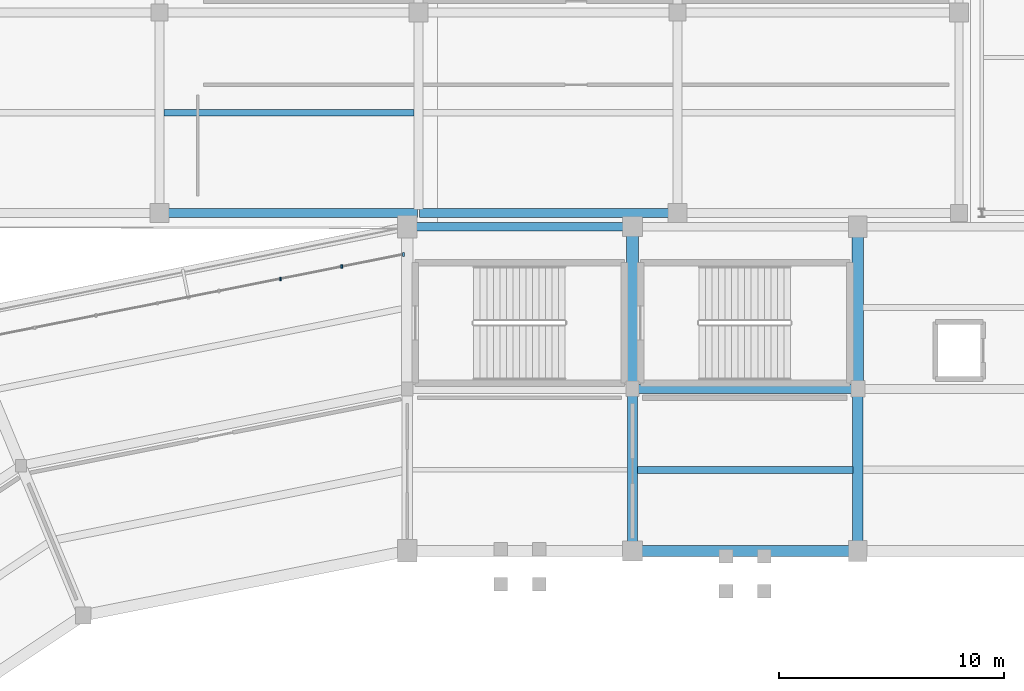
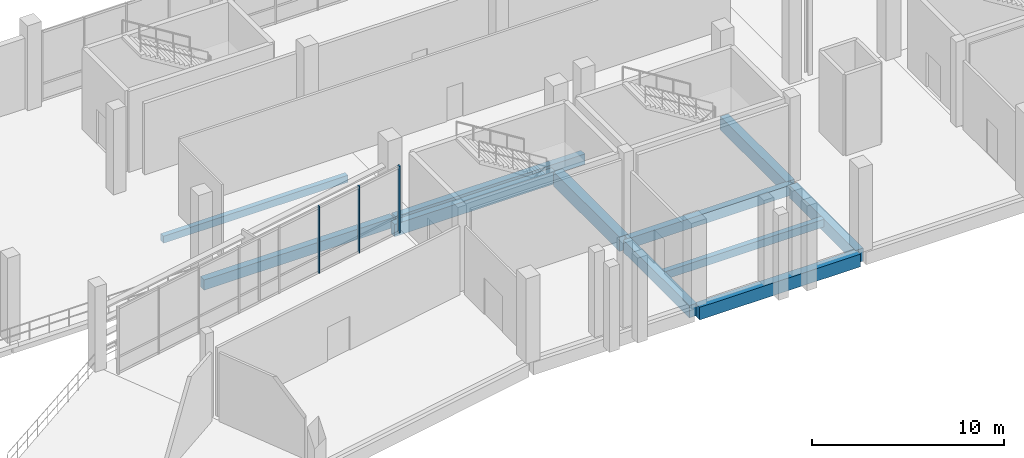
# One storey, part 51 of 114: 11 beams, 3 members, 1 element without a shape of its own.
"""IFC4 building model written with IfcOpenShell, lengths in metres."""

from ifc_helpers import new_model, si_unit, direction, frame, origin, origin_2d, place, context, subcontext, project, spatial, rectangle, extrude, material, material_profile, profile_set, type_object, element, aggregate, save


model = new_model("IFC4")

# Units and contexts
model_context = context("Model", 3, precision=1e-05, world=origin(), true_north=direction((0.0, 1.0)))
body_context = subcontext(model_context, "Body", "Model", "MODEL_VIEW")
ifc_project = project(units=[si_unit("LENGTHUNIT", "METRE"), si_unit("AREAUNIT", "SQUARE_METRE"), si_unit("VOLUMEUNIT", "CUBIC_METRE"), si_unit("PLANEANGLEUNIT", "RADIAN"), si_unit("MASSUNIT", "GRAM", prefix="KILO")], contexts=[model_context])

# Site, building, storey
site_placement = place(None, origin())
site = spatial("IfcSite", under=ifc_project, at=site_placement, CompositionType="ELEMENT")
building_placement = place(site_placement, origin())
building = spatial("IfcBuilding", under=site, at=building_placement, Name="Candeia Ridge Stadium", CompositionType="ELEMENT")
storey_placement = place(building_placement, frame((0.0, 0.0, 5.39990234375)))
storey = spatial("IfcBuildingStorey", under=building, at=storey_placement, Name="L01", CompositionType="ELEMENT", Elevation=5.39990234375)

# Curtain wall, members
ifc_material_1 = material(Name="Aluminium Anodized Warm Bronze", Category="aluminium")
curtain_wall_type = type_object("IfcCurtainWallType", Name="Concourse Recessed Unitised Curtain Wall", PredefinedType="NOTDEFINED", material=ifc_material_1)
curtain_wall_placement = place(storey_placement, origin())
curtain_wall = element("IfcCurtainWall", 1, at=curtain_wall_placement, inside=storey, type_object=curtain_wall_type, Name="Unitised curtain wall CW-BWL-L01-07", PredefinedType="NOTDEFINED")
ifc_material_profile_1 = material_profile(ifc_material_1, rectangle(XDim=0.090087890625, YDim=0.179931640625, at=origin_2d()), Name="CWM-90x180", Category="aluminium")
ifc_profile_set_1 = profile_set([ifc_material_profile_1], Name="Aluminium Anodized Warm Bronze")
member_type_1 = type_object("IfcMemberType", Name="Curtain Wall Primary Mullion 90x180", PredefinedType="MULLION", material=ifc_profile_set_1)
member_1_placement = place(storey_placement, frame((70.823486328125, 145.764892578125, 0.0), z_axis=(0.0, 0.0, 1.0), x_axis=(1.0, 0.0, 0.0)))
member_1 = element("IfcMember", 2, at=member_1_placement, type_object=member_type_1, Name="Curtain wall mullion CW-BWL-L01-07-M0", PredefinedType="MULLION", context=body_context, shape_type="SweptSolid", body=[
    extrude(rectangle(XDim=0.090087890625, YDim=0.179931640625, at=origin_2d()), origin(), (0.0, 0.0, 1.0), 4.2451171875),
])
ifc_material_profile_2 = material_profile(ifc_material_1, rectangle(XDim=0.074951171875, YDim=0.14990234375, at=origin_2d()), Name="CWM-75x150", Category="aluminium")
ifc_profile_set_2 = profile_set([ifc_material_profile_2], Name="Aluminium Anodized Warm Bronze")
member_type_2 = type_object("IfcMemberType", Name="Curtain Wall Secondary Mullion 75x150", PredefinedType="MULLION", material=ifc_profile_set_2)
member_2_placement = place(storey_placement, frame((68.0966796875, 145.222412109375, 0.0), z_axis=(0.0, 0.0, 1.0), x_axis=(1.0, 0.0, 0.0)))
member_2 = element("IfcMember", 3, at=member_2_placement, type_object=member_type_2, Name="Curtain wall mullion CW-BWL-L01-07-M1", PredefinedType="MULLION", context=body_context, shape_type="SweptSolid", body=[
    extrude(rectangle(XDim=0.074951171875, YDim=0.14990234375, at=origin_2d()), origin(), (0.0, 0.0, 1.0), 4.2451171875),
])
member_3_placement = place(storey_placement, frame((65.3701171875, 144.68017578125, 0.0), z_axis=(0.0, 0.0, 1.0), x_axis=(1.0, 0.0, 0.0)))
member_3 = element("IfcMember", 4, at=member_3_placement, type_object=member_type_2, Name="Curtain wall mullion CW-BWL-L01-07-M2", PredefinedType="MULLION", context=body_context, shape_type="SweptSolid", body=[
    extrude(rectangle(XDim=0.074951171875, YDim=0.14990234375, at=origin_2d()), origin(), (0.0, 0.0, 1.0), 4.2451171875),
])
aggregate(curtain_wall, [member_1, member_2, member_3])

# Beams
ifc_material_2 = material(Name="Concrete C40/50", Category="concrete")
ifc_material_profile_3 = material_profile(ifc_material_2, rectangle(XDim=0.300048828125, YDim=0.449951171875, at=origin_2d()), Name="RC300x450", Category="concrete")
ifc_profile_set_3 = profile_set([ifc_material_profile_3], Name="Concrete C40/50")
beam_type_1 = type_object("IfcBeamType", Name="Floor Joist RC300x450", PredefinedType="JOIST", material=ifc_profile_set_3)
beam_1_placement = place(storey_placement, frame((60.199462890625, 152.050048828125, -0.48486328125), z_axis=(1.0, 0.0, 0.0), x_axis=(0.0, 1.0, 0.0)))
element("IfcBeam", 5, at=beam_1_placement, inside=storey, type_object=beam_type_1, Name="Wing secondary joist BM-L01-1557", PredefinedType="JOIST", context=body_context, shape_type="SweptSolid", body=[
    extrude(rectangle(XDim=0.300048828125, YDim=0.449951171875, at=origin_2d()), origin(), (0.0, 0.0, 1.0), 11.10107421875),
])
ifc_material_profile_4 = material_profile(ifc_material_2, rectangle(XDim=0.31005859375, YDim=0.489990234375, at=origin_2d()), Name="RC310x490", Category="concrete")
ifc_profile_set_4 = profile_set([ifc_material_profile_4], Name="Concrete C40/50")
beam_type_2 = type_object("IfcBeamType", Name="Floor Joist RC310x490", PredefinedType="JOIST", material=ifc_profile_set_4)
beam_2_placement = place(storey_placement, frame((90.778076171875, 136.199951171875, -0.5048828125), z_axis=(-1.0, 0.0, 0.0), x_axis=(0.0, -1.0, 0.0)))
element("IfcBeam", 6, at=beam_2_placement, inside=storey, type_object=beam_type_2, Name="Concourse secondary joist BM-L01-0098", PredefinedType="JOIST", context=body_context, shape_type="SweptSolid", body=[
    extrude(rectangle(XDim=0.31005859375, YDim=0.489990234375, at=origin_2d()), origin(), (0.0, 0.0, 1.0), 9.55615234375),
])
ifc_material_profile_5 = material_profile(ifc_material_2, rectangle(XDim=0.4599609375, YDim=0.780029296875, at=origin_2d()), Name="RC460x780", Category="concrete")
ifc_profile_set_5 = profile_set([ifc_material_profile_5], Name="Concrete C40/50")
beam_type_3 = type_object("IfcBeamType", Name="Frame Girder RC460x780", PredefinedType="BEAM", material=ifc_profile_set_5)
beam_3_placement = place(storey_placement, frame((81.0, 132.760009765625, -0.64990234375), z_axis=(0.0, 1.0, 0.0), x_axis=(-1.0, 0.0, 0.0)))
element("IfcBeam", 7, at=beam_3_placement, inside=storey, type_object=beam_type_3, Name="Bowl radial girder BM-L01-0013", PredefinedType="BEAM", context=body_context, shape_type="SweptSolid", body=[
    extrude(rectangle(XDim=0.4599609375, YDim=0.780029296875, at=origin_2d()), origin(), (0.0, 0.0, 1.0), 6.8798828125),
])
ifc_material_3 = material(Name="Concrete C45/55", Category="concrete")
ifc_material_profile_6 = material_profile(ifc_material_3, rectangle(XDim=0.47998046875, YDim=0.820068359375, at=origin_2d()), Name="RC480x820", Category="concrete")
ifc_profile_set_6 = profile_set([ifc_material_profile_6], Name="Concrete C45/55")
beam_type_4 = type_object("IfcBeamType", Name="Frame Girder RC480x820", PredefinedType="BEAM", material=ifc_profile_set_6)
beam_4_placement = place(storey_placement, frame((91.0, 132.760009765625, -0.669921875), z_axis=(0.0, 1.0, 0.0), x_axis=(-1.0, 0.0, 0.0)))
element("IfcBeam", 8, at=beam_4_placement, inside=storey, type_object=beam_type_4, Name="Bowl radial girder BM-L01-0011", PredefinedType="BEAM", context=body_context, shape_type="SweptSolid", body=[
    extrude(rectangle(XDim=0.47998046875, YDim=0.820068359375, at=origin_2d()), origin(), (0.0, 0.0, 1.0), 6.8798828125),
])
ifc_material_profile_7 = material_profile(ifc_material_2, rectangle(XDim=0.5, YDim=0.800048828125, at=origin_2d()), Name="RC500x800", Category="concrete")
ifc_profile_set_7 = profile_set([ifc_material_profile_7], Name="Concrete C40/50")
beam_type_5 = type_object("IfcBeamType", Name="Frame Girder RC500x800", PredefinedType="BEAM", material=ifc_profile_set_7)
beam_5_placement = place(storey_placement, frame((90.840087890625, 132.60009765625, -0.659912109375), z_axis=(-1.0, 0.0, 0.0), x_axis=(0.0, -1.0, 0.0)))
element("IfcBeam", 9, at=beam_5_placement, inside=storey, type_object=beam_type_5, Name="Bowl inner ring girder BM-L01-0095", PredefinedType="BEAM", context=body_context, shape_type="SweptSolid", body=[
    extrude(rectangle(XDim=0.5, YDim=0.800048828125, at=origin_2d()), origin(), (0.0, 0.0, 1.0), 9.68017578125),
])
ifc_material_profile_8 = material_profile(ifc_material_3, rectangle(XDim=0.5, YDim=0.85009765625, at=origin_2d()), Name="RC500x850", Category="concrete")
ifc_profile_set_8 = profile_set([ifc_material_profile_8], Name="Concrete C45/55")
beam_type_6 = type_object("IfcBeamType", Name="Frame Girder RC500x850", PredefinedType="BEAM", material=ifc_profile_set_8)
beam_6_placement = place(storey_placement, frame((91.0, 139.9599609375, -0.684814453125), z_axis=(0.0, 1.0, 0.0), x_axis=(-1.0, 0.0, 0.0)))
element("IfcBeam", 10, at=beam_6_placement, inside=storey, type_object=beam_type_6, Name="Bowl radial girder BM-L01-0012", PredefinedType="BEAM", context=body_context, shape_type="SweptSolid", body=[
    extrude(rectangle(XDim=0.5, YDim=0.85009765625, at=origin_2d()), origin(), (0.0, 0.0, 1.0), 6.880126953125),
])
ifc_material_profile_9 = material_profile(ifc_material_3, rectangle(XDim=0.550048828125, YDim=0.919921875, at=origin_2d()), Name="RC550x920", Category="concrete")
ifc_profile_set_9 = profile_set([ifc_material_profile_9], Name="Concrete C45/55")
beam_type_7 = type_object("IfcBeamType", Name="Frame Girder RC550x920", PredefinedType="BEAM", material=ifc_profile_set_9)
beam_7_placement = place(storey_placement, frame((81.0, 139.9599609375, -0.719970703125), z_axis=(0.0, 1.0, 0.0), x_axis=(-1.0, 0.0, 0.0)))
element("IfcBeam", 11, at=beam_7_placement, inside=storey, type_object=beam_type_7, Name="Bowl radial girder BM-L01-0014", PredefinedType="BEAM", context=body_context, shape_type="SweptSolid", body=[
    extrude(rectangle(XDim=0.550048828125, YDim=0.919921875, at=origin_2d()), origin(), (0.0, 0.0, 1.0), 6.880126953125),
])
ifc_material_profile_10 = material_profile(ifc_material_3, rectangle(XDim=0.3798828125, YDim=0.780029296875, at=origin_2d()), Name="RC380x780", Category="concrete")
ifc_profile_set_10 = profile_set([ifc_material_profile_10], Name="Concrete C45/55")
beam_type_8 = type_object("IfcBeamType", Name="Spandrel Beam RC380x780", PredefinedType="SPANDREL", material=ifc_profile_set_10)
beam_8_placement = place(storey_placement, frame((80.840087890625, 147.0, -0.64990234375), z_axis=(-1.0, 0.0, 0.0), x_axis=(0.0, -1.0, 0.0)))
element("IfcBeam", 12, at=beam_8_placement, inside=storey, type_object=beam_type_8, Name="Bowl perimeter spandrel BM-L01-0101", PredefinedType="SPANDREL", context=body_context, shape_type="SweptSolid", body=[
    extrude(rectangle(XDim=0.3798828125, YDim=0.780029296875, at=origin_2d()), origin(), (0.0, 0.0, 1.0), 9.68017578125),
])
ifc_material_profile_11 = material_profile(ifc_material_2, rectangle(XDim=0.39990234375, YDim=0.64990234375, at=origin_2d()), Name="RC400x650", Category="concrete")
ifc_profile_set_11 = profile_set([ifc_material_profile_11], Name="Concrete C40/50")
beam_type_9 = type_object("IfcBeamType", Name="Wing Primary Girder RC400x650", PredefinedType="BEAM", material=ifc_profile_set_11)
beam_9_placement = place(storey_placement, frame((90.949951171875, 139.800048828125, -0.5849609375), z_axis=(-1.0, 0.0, 0.0), x_axis=(0.0, -1.0, 0.0)))
element("IfcBeam", 13, at=beam_9_placement, inside=storey, type_object=beam_type_9, Name="Concourse spine girder BM-L01-0096", PredefinedType="BEAM", context=body_context, shape_type="SweptSolid", body=[
    extrude(rectangle(XDim=0.39990234375, YDim=0.64990234375, at=origin_2d()), origin(), (0.0, 0.0, 1.0), 9.89990234375),
])
for number, where, z_axis, x_axis, name in (
    (14, (60.050048828125, 147.60009765625, -0.5849609375), (1.0, 0.0, 0.0), (0.0, 1.0, 0.0), "Structural girder BM-L01-1556"),
    (15, (71.550048828125, 147.60009765625, -0.5849609375), (1.0, 0.0, 0.0), (0.0, 1.0, 0.0), "Structural girder BM-L01-1560"),
):
    element("IfcBeam", number, at=place(storey_placement, frame(where, z_axis=z_axis, x_axis=x_axis)), inside=storey, type_object=beam_type_9, Name=name, PredefinedType="BEAM", context=body_context, shape_type="SweptSolid", body=[
        extrude(rectangle(XDim=0.39990234375, YDim=0.64990234375, at=origin_2d()), origin(), (0.0, 0.0, 1.0), 11.39990234375),
    ])

save(model, "model.ifc")
